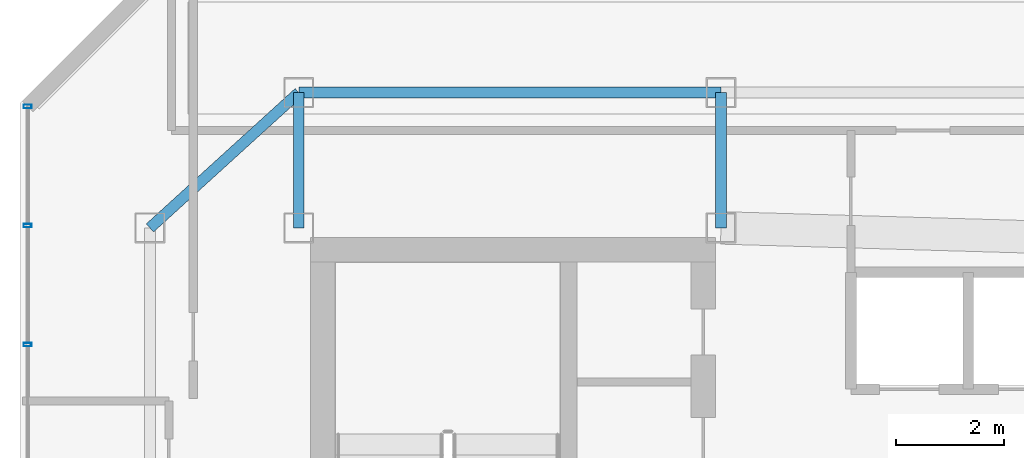
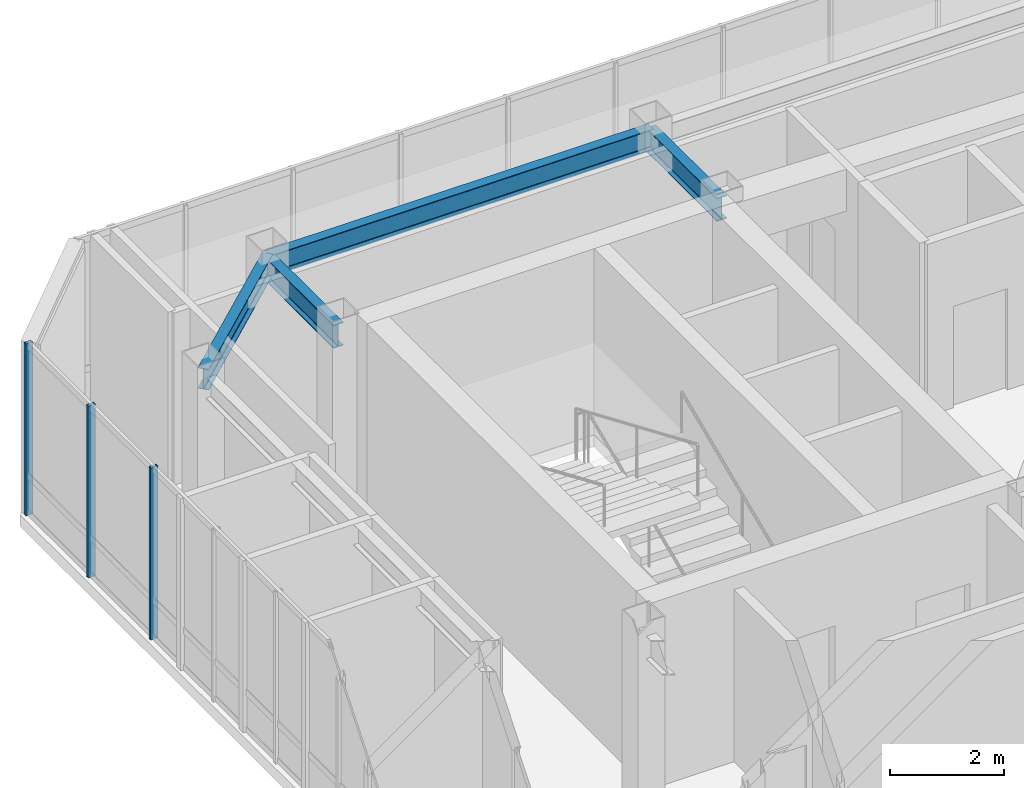
# One storey, part 12 of 24: 4 beams, 3 members, 1 element without a shape of its own.
"""IFC4 building model written with IfcOpenShell, lengths in metres."""

import ifcopenshell
import ifcopenshell.guid

model = None  # the IFC model being written
_history = None  # IfcOwnerHistory: only IFC2X3 demands one
_inside = {}  # id of a spatial element -> (the spatial element, [elements in it])
_under = {}  # id of a project, library or spatial element -> (it, [spatial elements below it])
_declared = {}  # id of a project -> (the project, [libraries it declares])
_typed = {}  # id of a type object -> (the type object, [elements of that type])
_made_of = {}  # id of a material, layer set ... -> (it, [elements and type objects made of it])


def new_model(schema):
    """Start an empty IFC model of exactly this schema.

    Asked for "IFC4X3", IfcOpenShell would pick the latest addendum, in which some entities
    have other attributes; the version numbers below select the first issue.
    IFC2X3 requires an IfcOwnerHistory on every rooted entity: one is made here for all.
    """
    global model, _history
    if schema == "IFC4X3":
        model = ifcopenshell.file(schema_version=(4, 3, 0, 0))
    else:
        model = ifcopenshell.file(schema=schema)
    _inside.clear()
    _under.clear()
    _declared.clear()
    _typed.clear()
    _made_of.clear()
    _history = None
    if model.schema == "IFC2X3":
        org = make("IfcOrganization", Name="unknown")
        user = make(
            "IfcPersonAndOrganization",
            ThePerson=make("IfcPerson", FamilyName="unknown"),
            TheOrganization=org,
        )
        app = make(
            "IfcApplication",
            ApplicationDeveloper=org,
            Version="unknown",
            ApplicationFullName="unknown",
            ApplicationIdentifier="unknown",
        )
        _history = make(
            "IfcOwnerHistory",
            OwningUser=user,
            OwningApplication=app,
            ChangeAction="ADDED",
            CreationDate=0,
        )
    return model


def make(cls, **values):
    """One entity of the class cls with the attributes given. An attribute that is None is left unset."""
    return model.create_entity(
        cls, **{name: value for name, value in values.items() if value is not None}
    )


def rooted(cls, **values):
    """An entity with a GlobalId (a new one), such as an element, a storey or a relation."""
    return make(cls, GlobalId=ifcopenshell.guid.new(), OwnerHistory=_history, **values)


def si_unit(unit_type, name, prefix=None):
    """IfcSIUnit, for example si_unit("LENGTHUNIT", "METRE", prefix="MILLI")."""
    return make("IfcSIUnit", UnitType=unit_type, Prefix=prefix, Name=name)


def assignment(units):
    """IfcUnitAssignment: the units of a project."""
    return None if units is None else make("IfcUnitAssignment", Units=units)


def point(xyz):
    """IfcCartesianPoint."""
    return None if xyz is None else make("IfcCartesianPoint", Coordinates=xyz)


def direction(xyz):
    """IfcDirection."""
    return None if xyz is None else make("IfcDirection", DirectionRatios=xyz)


def frame(location, z_axis=None, x_axis=None):
    """IfcAxis2Placement3D, a coordinate frame: its origin and axes. An axis left out is left unset."""
    return make(
        "IfcAxis2Placement3D",
        Location=point(location),
        Axis=direction(z_axis),
        RefDirection=direction(x_axis),
    )


def frame_2d(location, x_axis=None):
    """IfcAxis2Placement2D, a coordinate frame in the plane: its origin and x axis."""
    return make(
        "IfcAxis2Placement2D", Location=point(location), RefDirection=direction(x_axis)
    )


def origin():
    """The frame at (0, 0, 0) with its axes left unset."""
    return frame((0.0, 0.0, 0.0))


def origin_2d():
    """The frame at (0, 0) in the plane with its x axis left unset."""
    return frame_2d((0.0, 0.0))


def place(relative_to, where):
    """IfcLocalPlacement: puts the frame where relative to a parent placement (None: the world)."""
    return make(
        "IfcLocalPlacement", PlacementRelTo=relative_to, RelativePlacement=where
    )


def context(
    kind, dimensions, precision=None, world=None, true_north=None, identifier=None
):
    """IfcGeometricRepresentationContext, for example the 3D "Model" context."""
    return make(
        "IfcGeometricRepresentationContext",
        ContextIdentifier=identifier,
        ContextType=kind,
        CoordinateSpaceDimension=dimensions,
        Precision=precision,
        WorldCoordinateSystem=world,
        TrueNorth=true_north,
    )


def subcontext(parent, identifier, kind, view, scale=None):
    """IfcGeometricRepresentationSubContext, for example "Body" below "Model"."""
    return make(
        "IfcGeometricRepresentationSubContext",
        ContextIdentifier=identifier,
        ContextType=kind,
        ParentContext=parent,
        TargetScale=scale,
        TargetView=view,
    )


def project(units=None, contexts=None):
    """IfcProject with its units and contexts."""
    return rooted(
        "IfcProject",
        Name="project",
        RepresentationContexts=contexts,
        UnitsInContext=assignment(units),
    )


def spatial(cls, under=None, at=None, **own):
    """A site, building, storey or space (cls), placed at a placement, below another one or the project."""
    s = rooted(cls, ObjectPlacement=at, **own)
    if under is not None:
        _under.setdefault(under.id(), (under, []))[1].append(s)
    return s


def profile(cls, at=None, kind="AREA", **sizes):
    """A parametric profile (cls). Its sizes go by their IFC names, for example OverallWidth=200.0."""
    return make(cls, ProfileType=kind, Position=at, **sizes)


def hollow_rectangle(**sizes):
    """IfcRectangleHollowProfileDef."""
    return profile("IfcRectangleHollowProfileDef", **sizes)


def i_section(**sizes):
    """IfcIShapeProfileDef."""
    return profile("IfcIShapeProfileDef", **sizes)


def extrude(swept, where, along, depth):
    """IfcExtrudedAreaSolid: the profile swept, set in the frame where, extruded along a direction by depth."""
    return make(
        "IfcExtrudedAreaSolid",
        SweptArea=swept,
        Position=where,
        ExtrudedDirection=direction(along),
        Depth=depth,
    )


def shape(context_of_items, identifier, shape_type, items):
    """IfcShapeRepresentation: the items that make up one representation, for example the "Body"."""
    return make(
        "IfcShapeRepresentation",
        ContextOfItems=context_of_items,
        RepresentationIdentifier=identifier,
        RepresentationType=shape_type,
        Items=items,
    )


def material(Name=None, Category=None):
    """IfcMaterial."""
    return make("IfcMaterial", Name=Name, Category=Category)


def layer(
    of_material, thickness, ventilated=None, Name=None, Category=None, Priority=None
):
    """IfcMaterialLayer: one layer of a wall or slab, of a material (None: an air gap)."""
    return make(
        "IfcMaterialLayer",
        Material=of_material,
        LayerThickness=thickness,
        IsVentilated=ventilated,
        Name=Name,
        Category=Category,
        Priority=Priority,
    )


def layer_set(layers, Name=None):
    """IfcMaterialLayerSet."""
    return make("IfcMaterialLayerSet", MaterialLayers=layers, LayerSetName=Name)


def material_profile(
    of_material, cross_section, Name=None, Category=None, Priority=None
):
    """IfcMaterialProfile: a cross section and its material."""
    return make(
        "IfcMaterialProfile",
        Name=Name,
        Material=of_material,
        Profile=cross_section,
        Priority=Priority,
        Category=Category,
    )


def profile_set(profiles, Name=None, composite=None):
    """IfcMaterialProfileSet."""
    return make(
        "IfcMaterialProfileSet",
        Name=Name,
        MaterialProfiles=profiles,
        CompositeProfile=composite,
    )


def made_of(thing, what):
    """Note that an element or type object is made of a material, layer set ...; save() writes the relation."""
    if what is not None:
        _made_of.setdefault(what.id(), (what, []))[1].append(thing)
    return thing


def type_object(cls, material=None, **own):
    """A type object (cls), such as IfcWallType, which elements share."""
    return made_of(rooted(cls, **own), material)


def element(
    cls,
    number,
    at=None,
    inside=None,
    cuts=None,
    type_object=None,
    material=None,
    context=None,
    identifier="Body",
    shape_type=None,
    held_by="IfcProductDefinitionShape",
    body=None,
    shapes=None,
    **own,
):
    """One element of the class cls, such as IfcWall. Its Tag is "e" and its number.

    at: its placement. inside: the storey or other place that contains it. cuts: it is an
    opening in that element (IfcRelVoidsElement). A single representation is given by context,
    identifier, shape_type and body (its items); several are given by shapes. held_by: the class
    of the entity that holds the representations. save() writes the other relations.
    """
    e = rooted(cls, Tag="e%d" % number, ObjectPlacement=at, **own)
    if body is not None:
        shapes = [shape(context, identifier, shape_type, body)]
    if shapes is not None:
        e.Representation = make(held_by, Representations=shapes)
    if inside is not None:
        _inside.setdefault(inside.id(), (inside, []))[1].append(e)
    if cuts is not None:
        rooted(
            "IfcRelVoidsElement", RelatingBuildingElement=cuts, RelatedOpeningElement=e
        )
    if type_object is not None:
        _typed.setdefault(type_object.id(), (type_object, []))[1].append(e)
    return made_of(e, material)


def aggregate(whole, parts):
    """IfcRelAggregates: a whole, such as a stair, and the parts it consists of."""
    return rooted("IfcRelAggregates", RelatingObject=whole, RelatedObjects=parts)


def save(model, path):
    """Write the relations noted so far, then the file.

    IfcRelAggregates (storeys below a building ...), IfcRelContainedInSpatialStructure (elements
    in a storey), IfcRelDefinesByType, IfcRelAssociatesMaterial and IfcRelDeclares: one each for
    every whole, place, type object, material and project.
    """
    for whole, parts in _under.values():
        aggregate(whole, parts)
    for where, things in _inside.values():
        rooted(
            "IfcRelContainedInSpatialStructure",
            RelatedElements=things,
            RelatingStructure=where,
        )
    for kind, things in _typed.values():
        rooted("IfcRelDefinesByType", RelatedObjects=things, RelatingType=kind)
    for what, things in _made_of.values():
        rooted("IfcRelAssociatesMaterial", RelatedObjects=things, RelatingMaterial=what)
    for by, libraries in _declared.values():
        rooted("IfcRelDeclares", RelatingContext=by, RelatedDefinitions=libraries)
    model.write(path)


model = new_model("IFC4")

# Units and contexts
model_context = context("Model", 3, precision=1e-05, world=origin(), true_north=direction((0.0, 1.0)))
body_context = subcontext(model_context, "Body", "Model", "MODEL_VIEW")
ifc_project = project(units=[si_unit("LENGTHUNIT", "METRE"), si_unit("AREAUNIT", "SQUARE_METRE"), si_unit("VOLUMEUNIT", "CUBIC_METRE"), si_unit("PLANEANGLEUNIT", "RADIAN"), si_unit("MASSUNIT", "GRAM", prefix="KILO")], contexts=[model_context])

# Site, building, storey
site_placement = place(None, origin())
site = spatial("IfcSite", under=ifc_project, at=site_placement, CompositionType="ELEMENT")
building_placement = place(site_placement, origin())
building = spatial("IfcBuilding", under=site, at=building_placement, Name="Hatsunagi Terrace Concourse", CompositionType="ELEMENT")
storey_placement = place(building_placement, frame((0.0, 0.0, 285.949951171875)))
storey = spatial("IfcBuildingStorey", under=building, at=storey_placement, Name="L75", CompositionType="ELEMENT", Elevation=285.949951171875)

# Beams
ifc_material_1 = material(Name="Steel SN490B", Category="steel")
ifc_material_profile_1 = material_profile(ifc_material_1, i_section(OverallWidth=0.199951171875, OverallDepth=0.5, WebThickness=0.010009765625, FlangeThickness=0.01611328125, FilletRadius=0.01611328125, at=origin_2d()), Name="H-500x200x10x16")
ifc_profile_set_1 = profile_set([ifc_material_profile_1], Name="Steel SN490B")
beam_type_1 = type_object("IfcBeamType", Name="CrownFloorGirder_H_500x200", PredefinedType="BEAM", material=ifc_profile_set_1)
for number, where, z_axis, x_axis, name in (
    (1, (25.550048828125, 43.300048828125, 3.449951171875), (0.0, 1.0, 0.0), (-1.0, 0.0, 0.0), "Beam G-07 BM-L75-CN1"),
    (2, (33.35009765625, 43.300048828125, 3.449951171875), (0.0, 1.0, 0.0), (-1.0, 0.0, 0.0), "Beam G-07 BM-L75-CN2"),
):
    element("IfcBeam", number, at=place(storey_placement, frame(where, z_axis=z_axis, x_axis=x_axis)), inside=storey, type_object=beam_type_1, Name=name, PredefinedType="BEAM", context=body_context, shape_type="SweptSolid", body=[
        extrude(i_section(OverallWidth=0.199951171875, OverallDepth=0.5, WebThickness=0.010009765625, FlangeThickness=0.01611328125, FilletRadius=0.01611328125, at=origin_2d()), origin(), (0.0, 0.0, 1.0), 2.5),
    ])

# Curtain wall, members
ifc_material_2 = material(Name="Anodised Aluminium Alloy 6063-T5", Category="aluminium")
ifc_layer = layer(ifc_material_2, 0.199951171875)
ifc_layer_set = layer_set([ifc_layer], Name="CrownWintergarden_CW06")
curtain_wall_type = type_object("IfcCurtainWallType", Name="CrownWintergarden_CW06", PredefinedType="NOTDEFINED", material=ifc_layer_set)
curtain_wall_placement = place(storey_placement, origin())
curtain_wall = element("IfcCurtainWall", 3, at=curtain_wall_placement, inside=storey, type_object=curtain_wall_type, Name="Unitised Curtain Wall CW-06 CW-L75-07", PredefinedType="NOTDEFINED")
ifc_material_3 = material(Name="Anodised Aluminium Alloy 6063-T5", Category="aluminium")
ifc_material_profile_2 = material_profile(ifc_material_3, hollow_rectangle(XDim=0.06494140625, YDim=0.14990234375, WallThickness=0.00390625, at=origin_2d()), Name="ALU-MUL-150x65x4")
ifc_profile_set_2 = profile_set([ifc_material_profile_2], Name="Anodised Aluminium Alloy 6063-T5")
member_type = type_object("IfcMemberType", Name="CurtainWallMullion_Crown_150x65", PredefinedType="MULLION", material=ifc_profile_set_2)
member_1_placement = place(storey_placement, frame((20.5400390625, 41.14208984375, 0.0), z_axis=(0.0, 0.0, 1.0), x_axis=(0.0, 1.0, 0.0)))
member_1 = element("IfcMember", 4, at=member_1_placement, type_object=member_type, Name="Curtain Wall Mullion MUL-03", PredefinedType="MULLION", context=body_context, shape_type="SweptSolid", body=[
    extrude(hollow_rectangle(XDim=0.06494140625, YDim=0.14990234375, WallThickness=0.00390625, at=origin_2d()), origin(), (0.0, 0.0, 1.0), 3.699951171875),
])
member_2_placement = place(storey_placement, frame((20.5400390625, 43.342041015625, 0.0), z_axis=(0.0, 0.0, 1.0), x_axis=(0.0, 1.0, 0.0)))
member_2 = element("IfcMember", 5, at=member_2_placement, type_object=member_type, Name="Curtain Wall Mullion MUL-03", PredefinedType="MULLION", context=body_context, shape_type="SweptSolid", body=[
    extrude(hollow_rectangle(XDim=0.06494140625, YDim=0.14990234375, WallThickness=0.00390625, at=origin_2d()), origin(), (0.0, 0.0, 1.0), 3.699951171875),
])
member_3_placement = place(storey_placement, frame((20.5400390625, 45.5419921875, 0.0), z_axis=(0.0, 0.0, 1.0), x_axis=(0.0, 1.0, 0.0)))
member_3 = element("IfcMember", 6, at=member_3_placement, type_object=member_type, Name="Curtain Wall Mullion MUL-03", PredefinedType="MULLION", context=body_context, shape_type="SweptSolid", body=[
    extrude(hollow_rectangle(XDim=0.06494140625, YDim=0.14990234375, WallThickness=0.00390625, at=origin_2d()), origin(), (0.0, 0.0, 1.0), 3.699951171875),
])
aggregate(curtain_wall, [member_1, member_2, member_3])

# Beams
ifc_material_4 = material(Name="Steel SN490B", Category="steel")
ifc_material_profile_3 = material_profile(ifc_material_4, i_section(OverallWidth=0.199951171875, OverallDepth=0.449951171875, WebThickness=0.009033203125, FlangeThickness=0.013916015625, FilletRadius=0.01611328125, at=origin_2d()), Name="H-450x200x9x14")
ifc_profile_set_3 = profile_set([ifc_material_profile_3], Name="Steel SN490B")
beam_type_2 = type_object("IfcBeamType", Name="PerimeterSpandrel_H_450x200", PredefinedType="SPANDREL", material=ifc_profile_set_3)
beam_1_placement = place(storey_placement, frame((25.550048828125, 45.800048828125, 3.47509765625), z_axis=(1.0, 0.0, 0.0), x_axis=(0.0, 1.0, 0.0)))
element("IfcBeam", 7, at=beam_1_placement, inside=storey, type_object=beam_type_2, Name="Beam SP-02 BM-L75-CNEW1", PredefinedType="SPANDREL", context=body_context, shape_type="SweptSolid", body=[
    extrude(i_section(OverallWidth=0.199951171875, OverallDepth=0.449951171875, WebThickness=0.009033203125, FlangeThickness=0.013916015625, FilletRadius=0.01611328125, at=origin_2d()), origin(), (0.0, 0.0, 1.0), 7.800048828125),
])
beam_2_placement = place(storey_placement, frame((22.800048828125, 43.300048828125, 3.47509765625), z_axis=(0.739940073396, 0.672672793996, 0.0), x_axis=(-0.672672793996, 0.739940073396, 0.0)))
element("IfcBeam", 8, at=beam_2_placement, inside=storey, type_object=beam_type_2, Name="Beam SP-02 BM-L75-CWEW-N", PredefinedType="SPANDREL", context=body_context, shape_type="SweptSolid", body=[
    extrude(i_section(OverallWidth=0.199951171875, OverallDepth=0.449951171875, WebThickness=0.009033203125, FlangeThickness=0.013916015625, FilletRadius=0.01611328125, at=origin_2d()), origin(), (0.0, 0.0, 1.0), 3.716552734375),
])

save(model, "model.ifc")
